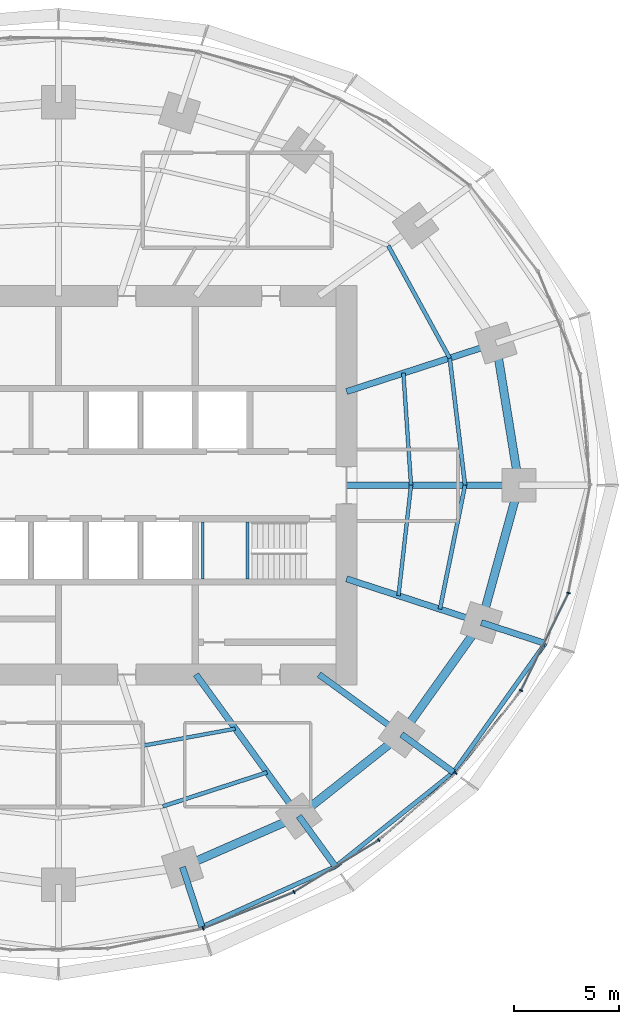
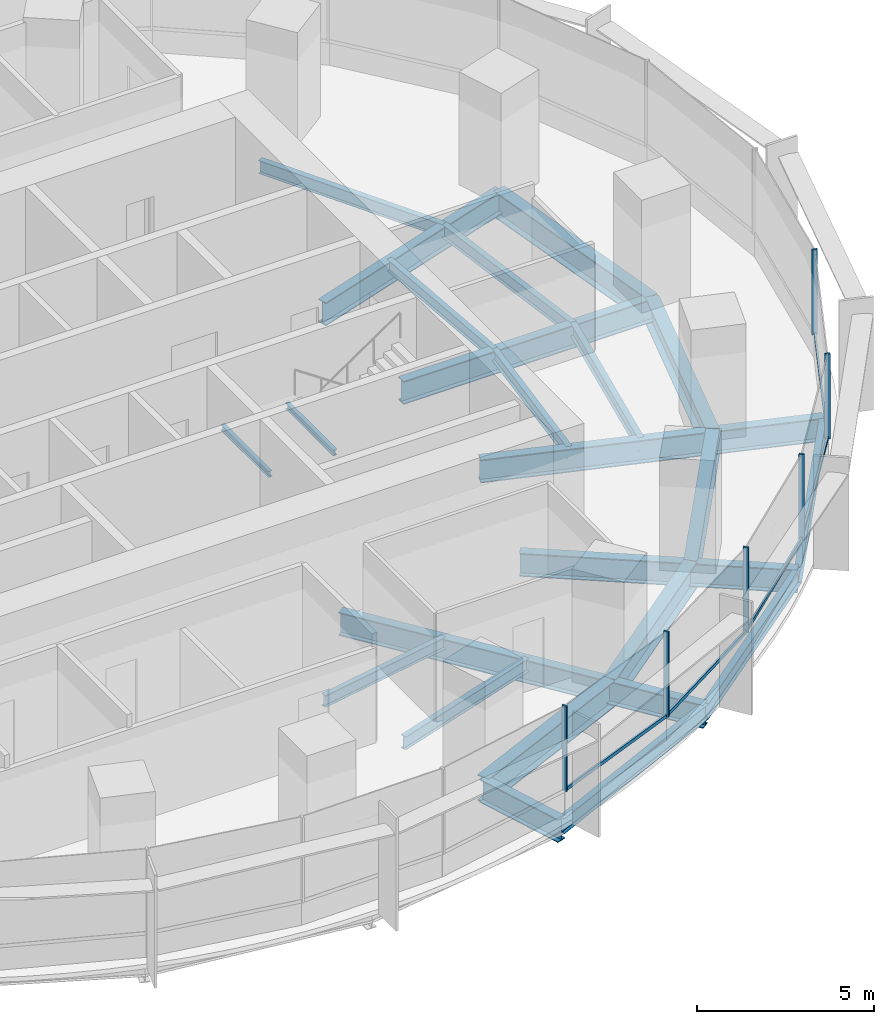
# One storey, part 5 of 14: 26 beams, 11 members, 2 elements without a shape of their own.
"""IFC4 building model written with IfcOpenShell, lengths in metres."""

from ifc_helpers import new_model, si_unit, direction, frame, origin, origin_2d, place, context, subcontext, project, spatial, rectangle, i_section, extrude, material, material_profile, profile_set, type_object, element, aggregate, save


model = new_model("IFC4")

# Units and contexts
model_context = context("Model", 3, precision=1e-05, world=origin(), true_north=direction((0.0, 1.0)))
body_context = subcontext(model_context, "Body", "Model", "MODEL_VIEW")
ifc_project = project(units=[si_unit("LENGTHUNIT", "METRE"), si_unit("AREAUNIT", "SQUARE_METRE"), si_unit("VOLUMEUNIT", "CUBIC_METRE"), si_unit("PLANEANGLEUNIT", "RADIAN"), si_unit("MASSUNIT", "GRAM", prefix="KILO")], contexts=[model_context])

# Site, building, storey
site_placement = place(None, origin())
site = spatial("IfcSite", under=ifc_project, at=site_placement, CompositionType="ELEMENT")
building_placement = place(site_placement, origin())
building = spatial("IfcBuilding", under=site, at=building_placement, Name="Marramba Exchange Tower", CompositionType="ELEMENT")
storey_placement = place(building_placement, frame((0.0, 0.0, 139.199951171875)))
storey = spatial("IfcBuildingStorey", under=building, at=storey_placement, Name="L33", CompositionType="ELEMENT", Elevation=139.199951171875)

# Beams
ifc_material_1 = material(Name="Steel AS/NZS 3679.2 grade 300", Category="steel")
ifc_material_profile_1 = material_profile(ifc_material_1, i_section(OverallWidth=0.300048828125, OverallDepth=0.800048828125, WebThickness=0.013916015625, FlangeThickness=0.031982421875, at=origin_2d()), Name="800WB192")
ifc_profile_set_1 = profile_set([ifc_material_profile_1], Name="Steel AS/NZS 3679.2 grade 300")
beam_type_1 = type_object("IfcBeamType", Name="Cantilever girder 800WB192", PredefinedType="BEAM", material=ifc_profile_set_1)
beam_1_placement = place(storey_placement, frame((5.899658203125, -18.156982421875, -0.56005859375), z_axis=(0.30903246226, -0.951051490336, 0.0), x_axis=(0.951051490336, 0.30903246226, 0.0)))
element("IfcBeam", 1, at=beam_1_placement, inside=storey, type_object=beam_type_1, Name="Cantilever girder L33 TC17", PredefinedType="BEAM", context=body_context, shape_type="SweptSolid", body=[
    extrude(i_section(OverallWidth=0.300048828125, OverallDepth=0.800048828125, WebThickness=0.013916015625, FlangeThickness=0.031982421875, at=origin_2d()), origin(), (0.0, 0.0, 1.0), 2.986328125),
])
beam_2_placement = place(storey_placement, frame((11.430419921875, -15.732666015625, -0.56005859375), z_axis=(0.587794986183, -0.8090099222, 0.0), x_axis=(0.8090099222, 0.587794986183, 0.0)))
element("IfcBeam", 2, at=beam_2_placement, inside=storey, type_object=beam_type_1, Name="Cantilever girder L33 TC18", PredefinedType="BEAM", context=body_context, shape_type="SweptSolid", body=[
    extrude(i_section(OverallWidth=0.300048828125, OverallDepth=0.800048828125, WebThickness=0.013916015625, FlangeThickness=0.031982421875, at=origin_2d()), origin(), (0.0, 0.0, 1.0), 2.9677734375),
])
beam_3_placement = place(storey_placement, frame((16.3154296875, -11.853759765625, -0.56005859375), z_axis=(0.809026231081, -0.587772538847, 0.0), x_axis=(0.587772538847, 0.809026231081, 0.0)))
element("IfcBeam", 3, at=beam_3_placement, inside=storey, type_object=beam_type_1, Name="Cantilever girder L33 TC19", PredefinedType="BEAM", context=body_context, shape_type="SweptSolid", body=[
    extrude(i_section(OverallWidth=0.300048828125, OverallDepth=0.800048828125, WebThickness=0.013916015625, FlangeThickness=0.031982421875, at=origin_2d()), origin(), (0.0, 0.0, 1.0), 3.055419921875),
])
beam_4_placement = place(storey_placement, frame((20.109375, -6.533935546875, -0.56005859375), z_axis=(0.951054839063, -0.309022156318, 0.0), x_axis=(0.309022156318, 0.951054839063, 0.0)))
element("IfcBeam", 4, at=beam_4_placement, inside=storey, type_object=beam_type_1, Name="Cantilever girder L33 TC20", PredefinedType="BEAM", context=body_context, shape_type="SweptSolid", body=[
    extrude(i_section(OverallWidth=0.300048828125, OverallDepth=0.800048828125, WebThickness=0.013916015625, FlangeThickness=0.031982421875, at=origin_2d()), origin(), (0.0, 0.0, 1.0), 3.19580078125),
])
ifc_material_2 = material(Name="Steel AS/NZS 3679.1 grade 300", Category="steel")
ifc_material_profile_2 = material_profile(ifc_material_2, i_section(OverallWidth=0.177978515625, OverallDepth=0.406005859375, WebThickness=0.0078125, FlangeThickness=0.0126953125, FilletRadius=0.011474609375, at=origin_2d()), Name="410UB59.7")
ifc_profile_set_2 = profile_set([ifc_material_profile_2], Name="Steel AS/NZS 3679.1 grade 300")
beam_type_2 = type_object("IfcBeamType", Name="Floor joist 410UB59.7", PredefinedType="JOIST", material=ifc_profile_set_2)
beam_5_placement = place(storey_placement, frame((16.7666015625, 0.0, -0.363037109375), z_axis=(-0.068096259546, 0.99767875563, 0.0), x_axis=(-0.99767875563, -0.068096259546, 0.0)))
element("IfcBeam", 5, at=beam_5_placement, inside=storey, type_object=beam_type_2, Name="Joist L33 bay 01 row 1", PredefinedType="JOIST", context=body_context, shape_type="SweptSolid", body=[
    extrude(i_section(OverallWidth=0.177978515625, OverallDepth=0.406005859375, WebThickness=0.0078125, FlangeThickness=0.0126953125, FilletRadius=0.011474609375, at=origin_2d()), origin(), (0.0, 0.0, 1.0), 5.342041015625),
])
beam_6_placement = place(storey_placement, frame((4.0244140625, -12.3857421875, -0.363037109375), z_axis=(0.983455754421, 0.181148500119, 0.0), x_axis=(-0.181148500119, 0.983455754421, 0.0)))
element("IfcBeam", 6, at=beam_6_placement, inside=storey, type_object=beam_type_2, Name="Joist L33 bay 17 row 1", PredefinedType="JOIST", context=body_context, shape_type="SweptSolid", body=[
    extrude(i_section(OverallWidth=0.177978515625, OverallDepth=0.406005859375, WebThickness=0.0078125, FlangeThickness=0.0126953125, FilletRadius=0.011474609375, at=origin_2d()), origin(), (0.0, 0.0, 1.0), 4.4609375),
])
beam_7_placement = place(storey_placement, frame((16.169677734375, -5.25390625, -0.363037109375), z_axis=(0.112888968594, 0.993607609054, 0.0), x_axis=(-0.993607609054, 0.112888968594, 0.0)))
element("IfcBeam", 7, at=beam_7_placement, inside=storey, type_object=beam_type_2, Name="Joist L33 bay 20 row 1", PredefinedType="JOIST", context=body_context, shape_type="SweptSolid", body=[
    extrude(i_section(OverallWidth=0.177978515625, OverallDepth=0.406005859375, WebThickness=0.0078125, FlangeThickness=0.0126953125, FilletRadius=0.011474609375, at=origin_2d()), origin(), (0.0, 0.0, 1.0), 5.28759765625),
])
ifc_material_profile_3 = material_profile(ifc_material_2, i_section(OverallWidth=0.18994140625, OverallDepth=0.4541015625, WebThickness=0.008544921875, FlangeThickness=0.0126953125, FilletRadius=0.011474609375, at=origin_2d()), Name="460UB67.1")
ifc_profile_set_3 = profile_set([ifc_material_profile_3], Name="Steel AS/NZS 3679.1 grade 300")
beam_type_3 = type_object("IfcBeamType", Name="Floor joist 460UB67.1", PredefinedType="JOIST", material=ifc_profile_set_3)
beam_8_placement = place(storey_placement, frame((19.333251953125, 0.0, -0.386962890625), z_axis=(-0.119523078538, 0.992831422597, 0.0), x_axis=(-0.992831422597, -0.119523078538, 0.0)))
element("IfcBeam", 8, at=beam_8_placement, inside=storey, type_object=beam_type_3, Name="Joist L33 bay 01 row 2", PredefinedType="JOIST", context=body_context, shape_type="SweptSolid", body=[
    extrude(i_section(OverallWidth=0.18994140625, OverallDepth=0.4541015625, WebThickness=0.008544921875, FlangeThickness=0.0126953125, FilletRadius=0.011474609375, at=origin_2d()), origin(), (0.0, 0.0, 1.0), 6.089111328125),
])
beam_9_placement = place(storey_placement, frame((18.60546875, 6.04541015625, -0.386962890625), z_axis=(-0.479584443791, 0.877495732909, 0.0), x_axis=(-0.877495732909, -0.479584443791, 0.0)))
element("IfcBeam", 9, at=beam_9_placement, inside=storey, type_object=beam_type_3, Name="Joist L33 bay 02 row 2", PredefinedType="JOIST", context=body_context, shape_type="SweptSolid", body=[
    extrude(i_section(OverallWidth=0.18994140625, OverallDepth=0.4541015625, WebThickness=0.008544921875, FlangeThickness=0.0126953125, FilletRadius=0.011474609375, at=origin_2d()), origin(), (0.0, 0.0, 1.0), 6.094970703125),
])
beam_10_placement = place(storey_placement, frame((4.9619140625, -15.271484375, -0.386962890625), z_axis=(0.950764024931, 0.309915744834, 0.0), x_axis=(-0.309915744834, 0.950764024931, 0.0)))
element("IfcBeam", 10, at=beam_10_placement, inside=storey, type_object=beam_type_3, Name="Joist L33 bay 17 row 2", PredefinedType="JOIST", context=body_context, shape_type="SweptSolid", body=[
    extrude(i_section(OverallWidth=0.18994140625, OverallDepth=0.4541015625, WebThickness=0.008544921875, FlangeThickness=0.0126953125, FilletRadius=0.011474609375, at=origin_2d()), origin(), (0.0, 0.0, 1.0), 5.2158203125),
])
beam_11_placement = place(storey_placement, frame((18.1396484375, -5.893798828125, -0.386962890625), z_axis=(0.198489047047, 0.980103105904, 0.0), x_axis=(-0.980103105904, 0.198489047047, 0.0)))
element("IfcBeam", 11, at=beam_11_placement, inside=storey, type_object=beam_type_3, Name="Joist L33 bay 20 row 2", PredefinedType="JOIST", context=body_context, shape_type="SweptSolid", body=[
    extrude(i_section(OverallWidth=0.18994140625, OverallDepth=0.4541015625, WebThickness=0.008544921875, FlangeThickness=0.0126953125, FilletRadius=0.011474609375, at=origin_2d()), origin(), (0.0, 0.0, 1.0), 6.013427734375),
])

# Curtain wall, member
ifc_material_3 = material(Name="Aluminium framing, bronze anodised", Category="aluminium")
curtain_wall_type = type_object("IfcCurtainWallType", Name="Office ribbon curtain wall", PredefinedType="USERDEFINED", material=ifc_material_3)
curtain_wall_1_placement = place(storey_placement, origin())
curtain_wall_1 = element("IfcCurtainWall", 12, at=curtain_wall_1_placement, inside=storey, type_object=curtain_wall_type, Name="Curtain wall CW4 L33 F21-F25", ObjectType="RIBBON CURTAIN WALL", PredefinedType="USERDEFINED")
ifc_material_4 = material(Name="Aluminium mullion, bronze anodised", Category="aluminium")
ifc_material_profile_4 = material_profile(ifc_material_4, rectangle(XDim=0.159912109375, YDim=0.06005859375, at=origin_2d()), Name="CW4 mullion 60x160")
ifc_profile_set_4 = profile_set([ifc_material_profile_4], Name="Aluminium mullion, bronze anodised")
member_type_1 = type_object("IfcMemberType", Name="Office ribbon curtain wall mullion", PredefinedType="MULLION", material=ifc_profile_set_4)
member_1_placement = place(storey_placement, frame((6.881103515625, -21.0810546875, 0.800048828125), z_axis=(0.0, 0.0, 1.0), x_axis=(-0.372209067082, 0.928148916059, 0.0)))
member_1 = element("IfcMember", 13, at=member_1_placement, type_object=member_type_1, Name="CW4 mullion 1", PredefinedType="MULLION", context=body_context, shape_type="SweptSolid", body=[
    extrude(rectangle(XDim=0.159912109375, YDim=0.06005859375, at=origin_2d()), origin(), (0.0, 0.0, 1.0), 2.93994140625),
])

# Curtain wall, members
curtain_wall_2_placement = place(storey_placement, origin())
curtain_wall_2 = element("IfcCurtainWall", 14, at=curtain_wall_2_placement, inside=storey, type_object=curtain_wall_type, Name="Curtain wall CW4 L33 F26-F30", ObjectType="RIBBON CURTAIN WALL", PredefinedType="USERDEFINED")
member_2_placement = place(storey_placement, frame((11.2021484375, -19.3427734375, 0.800048828125), z_axis=(0.0, 0.0, 1.0), x_axis=(-0.521732535664, 0.853109114492, 0.0)))
member_2 = element("IfcMember", 15, at=member_2_placement, type_object=member_type_1, Name="CW4 mullion 1", PredefinedType="MULLION", context=body_context, shape_type="SweptSolid", body=[
    extrude(rectangle(XDim=0.159912109375, YDim=0.06005859375, at=origin_2d()), origin(), (0.0, 0.0, 1.0), 2.93994140625),
])
member_3_placement = place(storey_placement, frame((15.232177734375, -16.872314453125, 0.800048828125), z_axis=(0.0, 0.0, 1.0), x_axis=(-0.656431647438, 0.754385506384, 0.0)))
member_3 = element("IfcMember", 16, at=member_3_placement, type_object=member_type_1, Name="CW4 mullion 1", PredefinedType="MULLION", context=body_context, shape_type="SweptSolid", body=[
    extrude(rectangle(XDim=0.159912109375, YDim=0.06005859375, at=origin_2d()), origin(), (0.0, 0.0, 1.0), 2.93994140625),
])
member_4_placement = place(storey_placement, frame((18.886962890625, -13.68505859375, 0.800048828125), z_axis=(0.0, 0.0, 1.0), x_axis=(-0.783170139469, 0.621807472329, 0.0)))
member_4 = element("IfcMember", 17, at=member_4_placement, type_object=member_type_1, Name="CW4 mullion 1", PredefinedType="MULLION", context=body_context, shape_type="SweptSolid", body=[
    extrude(rectangle(XDim=0.159912109375, YDim=0.06005859375, at=origin_2d()), origin(), (0.0, 0.0, 1.0), 2.93994140625),
])
member_5_placement = place(storey_placement, frame((21.994873046875, -9.760009765625, 0.800048828125), z_axis=(0.0, 0.0, 1.0), x_axis=(-0.89844486976, 0.439086342308, 0.0)))
member_5 = element("IfcMember", 18, at=member_5_placement, type_object=member_type_1, Name="CW4 mullion 1", PredefinedType="MULLION", context=body_context, shape_type="SweptSolid", body=[
    extrude(rectangle(XDim=0.159912109375, YDim=0.06005859375, at=origin_2d()), origin(), (0.0, 0.0, 1.0), 2.93994140625),
])
member_6_placement = place(storey_placement, frame((24.252197265625, -5.124267578125, 0.800048828125), z_axis=(0.0, 0.0, 1.0), x_axis=(-0.980393739376, 0.197048511267, 0.0)))
member_6 = element("IfcMember", 19, at=member_6_placement, type_object=member_type_1, Name="CW4 mullion 1", PredefinedType="MULLION", context=body_context, shape_type="SweptSolid", body=[
    extrude(rectangle(XDim=0.159912109375, YDim=0.06005859375, at=origin_2d()), origin(), (0.0, 0.0, 1.0), 2.93994140625),
])

# Member
ifc_material_5 = material(Name="Aluminium transom, bronze anodised", Category="aluminium")
ifc_material_profile_5 = material_profile(ifc_material_5, rectangle(XDim=0.06005859375, YDim=0.1201171875, at=origin_2d()), Name="CW4 transom 60x120")
ifc_profile_set_5 = profile_set([ifc_material_profile_5], Name="Aluminium transom, bronze anodised")
member_type_2 = type_object("IfcMemberType", Name="Office ribbon curtain wall transom", PredefinedType="USERDEFINED", material=ifc_profile_set_5)
member_7_placement = place(storey_placement, frame((6.908935546875, -21.06982421875, 0.830078125), z_axis=(0.928146753748, 0.372214459026, 0.0), x_axis=(-0.372214459026, 0.928146753748, 0.0)))
member_7 = element("IfcMember", 20, at=member_7_placement, type_object=member_type_2, Name="CW4 sill transom", ObjectType="TRANSOM", PredefinedType="USERDEFINED", context=body_context, shape_type="SweptSolid", body=[
    extrude(rectangle(XDim=0.06005859375, YDim=0.1201171875, at=origin_2d()), origin(), (0.0, 0.0, 1.0), 4.597900390625),
])

aggregate(curtain_wall_1, [member_1, member_7])

member_8_placement = place(storey_placement, frame((11.227783203125, -19.3271484375, 0.830078125), z_axis=(0.853124051379, 0.52170811088, 0.0), x_axis=(-0.52170811088, 0.853124051379, 0.0)))
member_8 = element("IfcMember", 21, at=member_8_placement, type_object=member_type_2, Name="CW4 sill transom", ObjectType="TRANSOM", PredefinedType="USERDEFINED", context=body_context, shape_type="SweptSolid", body=[
    extrude(rectangle(XDim=0.06005859375, YDim=0.1201171875, at=origin_2d()), origin(), (0.0, 0.0, 1.0), 4.66748046875),
])

member_9_placement = place(storey_placement, frame((15.2548828125, -16.8525390625, 0.830078125), z_axis=(0.754392594189, 0.65642350189, 0.0), x_axis=(-0.65642350189, 0.754392594189, 0.0)))
member_9 = element("IfcMember", 22, at=member_9_placement, type_object=member_type_2, Name="CW4 sill transom", ObjectType="TRANSOM", PredefinedType="USERDEFINED", context=body_context, shape_type="SweptSolid", body=[
    extrude(rectangle(XDim=0.06005859375, YDim=0.1201171875, at=origin_2d()), origin(), (0.0, 0.0, 1.0), 4.78955078125),
])

member_10_placement = place(storey_placement, frame((18.905517578125, -13.66162109375, 0.830078125), z_axis=(0.621777997945, 0.783193540111, 0.0), x_axis=(-0.783193540111, 0.621777997945, 0.0)))
member_10 = element("IfcMember", 23, at=member_10_placement, type_object=member_type_2, Name="CW4 sill transom", ObjectType="TRANSOM", PredefinedType="USERDEFINED", context=body_context, shape_type="SweptSolid", body=[
    extrude(rectangle(XDim=0.06005859375, YDim=0.1201171875, at=origin_2d()), origin(), (0.0, 0.0, 1.0), 4.947265625),
])

member_11_placement = place(storey_placement, frame((22.008056640625, -9.73291015625, 0.830078125), z_axis=(0.439090714557, 0.898442732949, 0.0), x_axis=(-0.898442732949, 0.439090714557, 0.0)))
member_11 = element("IfcMember", 24, at=member_11_placement, type_object=member_type_2, Name="CW4 sill transom", ObjectType="TRANSOM", PredefinedType="USERDEFINED", context=body_context, shape_type="SweptSolid", body=[
    extrude(rectangle(XDim=0.06005859375, YDim=0.1201171875, at=origin_2d()), origin(), (0.0, 0.0, 1.0), 5.096923828125),
])

aggregate(curtain_wall_2, [member_2, member_8, member_3, member_9, member_4, member_10, member_5, member_11, member_6])

# Beams
ifc_material_profile_6 = material_profile(ifc_material_1, i_section(OverallWidth=0.300048828125, OverallDepth=0.800048828125, WebThickness=0.013916015625, FlangeThickness=0.031982421875, at=origin_2d()), Name="800WB192")
ifc_profile_set_6 = profile_set([ifc_material_profile_6], Name="Steel AS/NZS 3679.2 grade 300")
beam_type_4 = type_object("IfcBeamType", Name="Radial girder 800WB192", PredefinedType="BEAM", material=ifc_profile_set_6)
beam_12_placement = place(storey_placement, frame((13.699951171875, 0.0, -0.56005859375), z_axis=(1.0, 0.0, 0.0), x_axis=(0.0, 1.0, 0.0)))
element("IfcBeam", 25, at=beam_12_placement, inside=storey, type_object=beam_type_4, Name="Radial girder L33 TC01", PredefinedType="BEAM", context=body_context, shape_type="SweptSolid", body=[
    extrude(i_section(OverallWidth=0.300048828125, OverallDepth=0.800048828125, WebThickness=0.013916015625, FlangeThickness=0.031982421875, at=origin_2d()), origin(), (0.0, 0.0, 1.0), 8.199951171875),
])
beam_13_placement = place(storey_placement, frame((13.699951171875, 4.451416015625, -0.56005859375), z_axis=(0.951059990189, 0.309006302624, 0.0), x_axis=(-0.309006302624, 0.951059990189, 0.0)))
element("IfcBeam", 26, at=beam_13_placement, inside=storey, type_object=beam_type_4, Name="Radial girder L33 TC02", PredefinedType="BEAM", context=body_context, shape_type="SweptSolid", body=[
    extrude(i_section(OverallWidth=0.300048828125, OverallDepth=0.800048828125, WebThickness=0.013916015625, FlangeThickness=0.031982421875, at=origin_2d()), origin(), (0.0, 0.0, 1.0), 7.47412109375),
])
beam_14_placement = place(storey_placement, frame((6.538818359375, -9.0, -0.56005859375), z_axis=(0.587787877172, -0.809015087282, 0.0), x_axis=(0.809015087282, 0.587787877172, 0.0)))
element("IfcBeam", 27, at=beam_14_placement, inside=storey, type_object=beam_type_4, Name="Radial girder L33 TC18", PredefinedType="BEAM", context=body_context, shape_type="SweptSolid", body=[
    extrude(i_section(OverallWidth=0.300048828125, OverallDepth=0.800048828125, WebThickness=0.013916015625, FlangeThickness=0.031982421875, at=origin_2d()), origin(), (0.0, 0.0, 1.0), 8.322021484375),
])
beam_15_placement = place(storey_placement, frame((12.387451171875, -9.0, -0.56005859375), z_axis=(0.809025189606, -0.58777397236, 0.0), x_axis=(0.58777397236, 0.809025189606, 0.0)))
element("IfcBeam", 28, at=beam_15_placement, inside=storey, type_object=beam_type_4, Name="Radial girder L33 TC19", PredefinedType="BEAM", context=body_context, shape_type="SweptSolid", body=[
    extrude(i_section(OverallWidth=0.300048828125, OverallDepth=0.800048828125, WebThickness=0.013916015625, FlangeThickness=0.031982421875, at=origin_2d()), origin(), (0.0, 0.0, 1.0), 4.855224609375),
])
beam_16_placement = place(storey_placement, frame((13.699951171875, -4.451416015625, -0.56005859375), z_axis=(0.951057759669, -0.309013167637, 0.0), x_axis=(0.309013167637, 0.951057759669, 0.0)))
element("IfcBeam", 29, at=beam_16_placement, inside=storey, type_object=beam_type_4, Name="Radial girder L33 TC20", PredefinedType="BEAM", context=body_context, shape_type="SweptSolid", body=[
    extrude(i_section(OverallWidth=0.300048828125, OverallDepth=0.800048828125, WebThickness=0.013916015625, FlangeThickness=0.031982421875, at=origin_2d()), origin(), (0.0, 0.0, 1.0), 6.7392578125),
])
ifc_material_profile_7 = material_profile(ifc_material_1, i_section(OverallWidth=0.39990234375, OverallDepth=0.89990234375, WebThickness=0.01611328125, FlangeThickness=0.031982421875, at=origin_2d()), Name="900WB282")
ifc_profile_set_7 = profile_set([ifc_material_profile_7], Name="Steel AS/NZS 3679.2 grade 300")
beam_type_5 = type_object("IfcBeamType", Name="Ring beam 900WB282", PredefinedType="SPANDREL", material=ifc_profile_set_7)
beam_17_placement = place(storey_placement, frame((21.89990234375, 0.0, -0.60986328125), z_axis=(-0.159384865399, 0.987216523708, 0.0), x_axis=(-0.987216523708, -0.159384865399, 0.0)))
element("IfcBeam", 30, at=beam_17_placement, inside=storey, type_object=beam_type_5, Name="Ring beam L33 TC01-TC02", PredefinedType="SPANDREL", context=body_context, shape_type="SweptSolid", body=[
    extrude(i_section(OverallWidth=0.39990234375, OverallDepth=0.89990234375, WebThickness=0.01611328125, FlangeThickness=0.031982421875, at=origin_2d()), origin(), (0.0, 0.0, 1.0), 6.8486328125),
])
beam_18_placement = place(storey_placement, frame((5.899658203125, -18.156982421875, -0.60986328125), z_axis=(0.915876892158, 0.4014592363, 0.0), x_axis=(-0.4014592363, 0.915876892158, 0.0)))
element("IfcBeam", 31, at=beam_18_placement, inside=storey, type_object=beam_type_5, Name="Ring beam L33 TC17-TC18", PredefinedType="SPANDREL", context=body_context, shape_type="SweptSolid", body=[
    extrude(i_section(OverallWidth=0.39990234375, OverallDepth=0.89990234375, WebThickness=0.01611328125, FlangeThickness=0.031982421875, at=origin_2d()), origin(), (0.0, 0.0, 1.0), 6.038818359375),
])
beam_19_placement = place(storey_placement, frame((11.430419921875, -15.732666015625, -0.60986328125), z_axis=(0.783139438128, 0.621846138887, 0.0), x_axis=(-0.621846138887, 0.783139438128, 0.0)))
element("IfcBeam", 32, at=beam_19_placement, inside=storey, type_object=beam_type_5, Name="Ring beam L33 TC18-TC19", PredefinedType="SPANDREL", context=body_context, shape_type="SweptSolid", body=[
    extrude(i_section(OverallWidth=0.39990234375, OverallDepth=0.89990234375, WebThickness=0.01611328125, FlangeThickness=0.031982421875, at=origin_2d()), origin(), (0.0, 0.0, 1.0), 6.23779296875),
])
beam_20_placement = place(storey_placement, frame((16.3154296875, -11.853759765625, -0.60986328125), z_axis=(0.580637181111, 0.814162430914, 0.0), x_axis=(-0.814162430914, 0.580637181111, 0.0)))
element("IfcBeam", 33, at=beam_20_placement, inside=storey, type_object=beam_type_5, Name="Ring beam L33 TC19-TC20", PredefinedType="SPANDREL", context=body_context, shape_type="SweptSolid", body=[
    extrude(i_section(OverallWidth=0.39990234375, OverallDepth=0.89990234375, WebThickness=0.01611328125, FlangeThickness=0.031982421875, at=origin_2d()), origin(), (0.0, 0.0, 1.0), 6.5341796875),
])
beam_21_placement = place(storey_placement, frame((20.109375, -6.533935546875, -0.60986328125), z_axis=(0.264291166956, 0.964442937176, 0.0), x_axis=(-0.964442937176, 0.264291166956, 0.0)))
element("IfcBeam", 34, at=beam_21_placement, inside=storey, type_object=beam_type_5, Name="Ring beam L33 TC20-TC01", PredefinedType="SPANDREL", context=body_context, shape_type="SweptSolid", body=[
    extrude(i_section(OverallWidth=0.39990234375, OverallDepth=0.89990234375, WebThickness=0.01611328125, FlangeThickness=0.031982421875, at=origin_2d()), origin(), (0.0, 0.0, 1.0), 6.77490234375),
])
ifc_material_profile_8 = material_profile(ifc_material_2, i_section(OverallWidth=0.208984375, OverallDepth=0.528076171875, WebThickness=0.009521484375, FlangeThickness=0.01318359375, FilletRadius=0.013916015625, at=origin_2d()), Name="530UB82.0")
ifc_profile_set_8 = profile_set([ifc_material_profile_8], Name="Steel AS/NZS 3679.1 grade 300")
beam_type_6 = type_object("IfcBeamType", Name="Slab edge beam 530UB82.0", PredefinedType="SPANDREL", material=ifc_profile_set_8)
beam_22_placement = place(storey_placement, frame((6.822509765625, -20.9970703125, -0.424072265625), z_axis=(0.911653171624, 0.410960453898, 0.0), x_axis=(-0.410960453898, 0.911653171624, 0.0)))
element("IfcBeam", 35, at=beam_22_placement, inside=storey, type_object=beam_type_6, Name="Slab edge beam L33 TC17-TC18", PredefinedType="SPANDREL", context=body_context, shape_type="SweptSolid", body=[
    extrude(i_section(OverallWidth=0.208984375, OverallDepth=0.528076171875, WebThickness=0.009521484375, FlangeThickness=0.01318359375, FilletRadius=0.013916015625, at=origin_2d()), origin(), (0.0, 0.0, 1.0), 6.9677734375),
])
beam_23_placement = place(storey_placement, frame((13.1748046875, -18.133544921875, -0.424072265625), z_axis=(0.781286404457, 0.624172695822, 0.0), x_axis=(-0.624172695822, 0.781286404457, 0.0)))
element("IfcBeam", 36, at=beam_23_placement, inside=storey, type_object=beam_type_6, Name="Slab edge beam L33 TC18-TC19", PredefinedType="SPANDREL", context=body_context, shape_type="SweptSolid", body=[
    extrude(i_section(OverallWidth=0.208984375, OverallDepth=0.528076171875, WebThickness=0.009521484375, FlangeThickness=0.01318359375, FilletRadius=0.013916015625, at=origin_2d()), origin(), (0.0, 0.0, 1.0), 7.183837890625),
])
beam_24_placement = place(storey_placement, frame((18.787353515625, -13.649658203125, -0.424072265625), z_axis=(0.579834168245, 0.814734519543, 0.0), x_axis=(-0.814734519543, 0.579834168245, 0.0)))
element("IfcBeam", 37, at=beam_24_placement, inside=storey, type_object=beam_type_6, Name="Slab edge beam L33 TC19-TC20", PredefinedType="SPANDREL", context=body_context, shape_type="SweptSolid", body=[
    extrude(i_section(OverallWidth=0.208984375, OverallDepth=0.528076171875, WebThickness=0.009521484375, FlangeThickness=0.01318359375, FilletRadius=0.013916015625, at=origin_2d()), origin(), (0.0, 0.0, 1.0), 7.521728515625),
])
ifc_material_profile_9 = material_profile(ifc_material_2, i_section(OverallWidth=0.133056640625, OverallDepth=0.202880859375, WebThickness=0.005859375, FlangeThickness=0.0078125, FilletRadius=0.0087890625, at=origin_2d()), Name="200UB25.4")
ifc_profile_set_9 = profile_set([ifc_material_profile_9], Name="Steel AS/NZS 3679.1 grade 300")
beam_type_7 = type_object("IfcBeamType", Name="Stair landing beam 200UB25.4", PredefinedType="BEAM", material=ifc_profile_set_9)
for number, where, z_axis, x_axis, name in (
    (38, (6.866455078125, -4.449951171875, 1.6484375), (0.0, 1.0, 0.0), (-1.0, 0.0, 0.0), "Stair landing beam SLB1 ST2 L33 1"),
    (39, (8.9833984375, -4.449951171875, 1.6484375), (0.0, 1.0, 0.0), (-1.0, 0.0, 0.0), "Stair landing beam SLB1 ST2 L33 2"),
):
    element("IfcBeam", number, at=place(storey_placement, frame(where, z_axis=z_axis, x_axis=x_axis)), inside=storey, type_object=beam_type_7, Name=name, PredefinedType="BEAM", context=body_context, shape_type="SweptSolid", body=[
        extrude(i_section(OverallWidth=0.133056640625, OverallDepth=0.202880859375, WebThickness=0.005859375, FlangeThickness=0.0078125, FilletRadius=0.0087890625, at=origin_2d()), origin(), (0.0, 0.0, 1.0), 2.699951171875),
    ])

save(model, "model.ifc")
